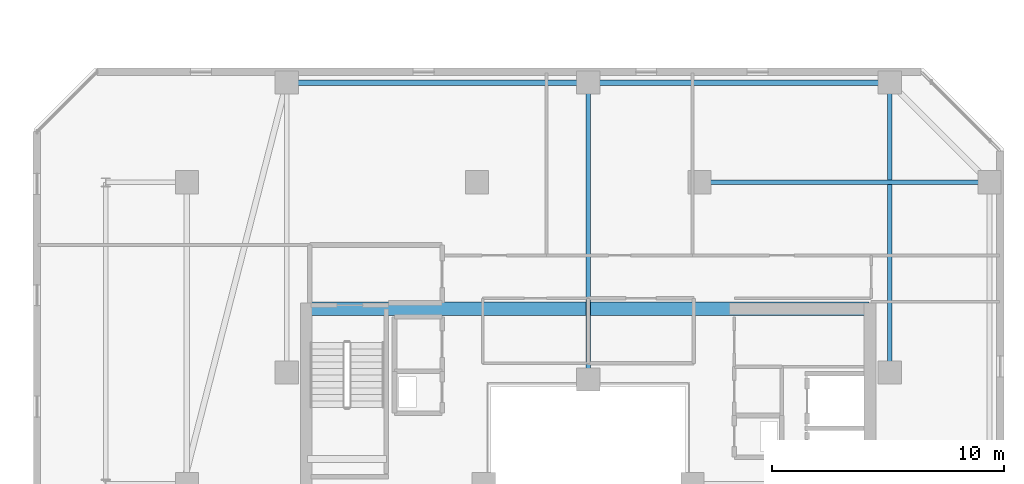
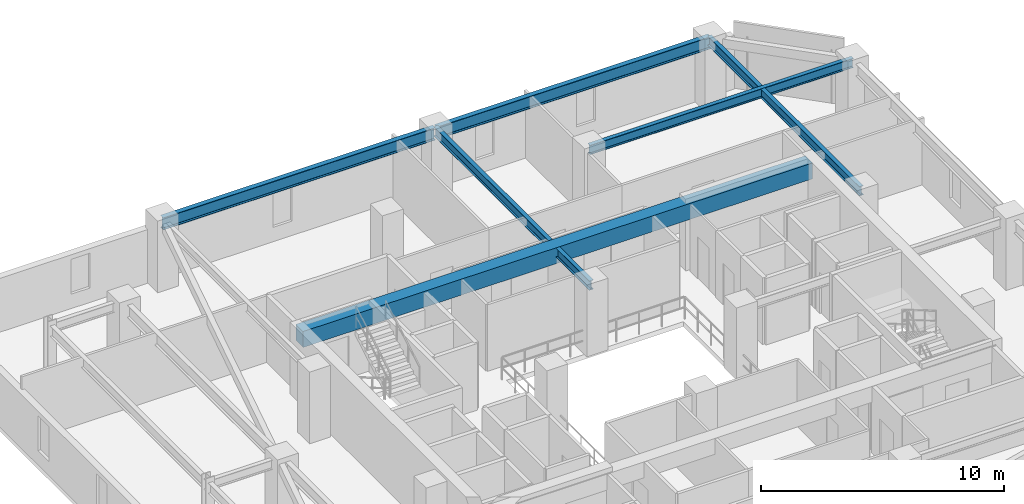
# One storey, part 16 of 33: 6 beams.
"""IFC4 building model written with IfcOpenShell, lengths in metres."""

from ifc_helpers import new_model, si_unit, direction, frame, origin, origin_2d, place, context, subcontext, project, spatial, rectangle, i_section, extrude, material, material_profile, profile_set, type_object, element, save


model = new_model("IFC4")

# Units and contexts
model_context = context("Model", 3, precision=1e-05, world=origin(), true_north=direction((0.0, 1.0)))
body_context = subcontext(model_context, "Body", "Model", "MODEL_VIEW")
ifc_project = project(units=[si_unit("LENGTHUNIT", "METRE"), si_unit("AREAUNIT", "SQUARE_METRE"), si_unit("VOLUMEUNIT", "CUBIC_METRE"), si_unit("PLANEANGLEUNIT", "RADIAN"), si_unit("MASSUNIT", "GRAM", prefix="KILO")], contexts=[model_context])

# Site, building, storey
site_placement = place(None, origin())
site = spatial("IfcSite", under=ifc_project, at=site_placement, CompositionType="ELEMENT")
building_placement = place(site_placement, origin())
building = spatial("IfcBuilding", under=site, at=building_placement, Name="Thornwick Lancets Civic Towers", CompositionType="ELEMENT")
storey_placement = place(building_placement, frame((0.0, 0.0, 210.89990234375)))
storey = spatial("IfcBuildingStorey", under=building, at=storey_placement, Name="L56", CompositionType="ELEMENT", Elevation=210.89990234375)

# Beams
ifc_material_1 = material(Name="Concrete C60/75", Category="concrete")
ifc_material_profile_1 = material_profile(ifc_material_1, rectangle(XDim=0.60009765625, YDim=0.800048828125, at=origin_2d()), Name="RC 600x800")
ifc_profile_set_1 = profile_set([ifc_material_profile_1], Name="Concrete C60/75")
beam_type_1 = type_object("IfcBeamType", Name="BM_COUP_RC800", PredefinedType="BEAM", material=ifc_profile_set_1)
beam_1_placement = place(storey_placement, frame((76.39990234375, 34.550048828125, 2.960205078125), z_axis=(1.0, 0.0, 0.0), x_axis=(0.0, 1.0, 0.0)))
element("IfcBeam", 1, at=beam_1_placement, inside=storey, type_object=beam_type_1, Name="CB-L56-B1", PredefinedType="BEAM", context=body_context, shape_type="SweptSolid", body=[
    extrude(rectangle(XDim=0.60009765625, YDim=0.800048828125, at=origin_2d()), origin(), (0.0, 0.0, 1.0), 24.2001953125),
])
ifc_material_2 = material(Name="Steel S355JR", Category="steel")
ifc_material_profile_2 = material_profile(ifc_material_2, i_section(OverallWidth=0.230224609375, OverallDepth=0.6171875, WebThickness=0.01318359375, FlangeThickness=0.022216796875, FilletRadius=0.0126953125, at=origin_2d()), Name="UKB 610x229x140")
ifc_profile_set_2 = profile_set([ifc_material_profile_2], Name="Steel S355JR")
beam_type_2 = type_object("IfcBeamType", Name="BM_GIRD_610_140", PredefinedType="BEAM", material=ifc_profile_set_2)
beam_2_placement = place(storey_placement, frame((101.5, 44.300048828125, 3.051513671875), z_axis=(-1.0, 0.0, 0.0), x_axis=(0.0, -1.0, 0.0)))
element("IfcBeam", 2, at=beam_2_placement, inside=storey, type_object=beam_type_2, Name="BM-SPINE-L56-B-3-4", PredefinedType="BEAM", context=body_context, shape_type="SweptSolid", body=[
    extrude(i_section(OverallWidth=0.230224609375, OverallDepth=0.6171875, WebThickness=0.01318359375, FlangeThickness=0.022216796875, FilletRadius=0.0126953125, at=origin_2d()), origin(), (0.0, 0.0, 1.0), 13.0),
])
beam_3_placement = place(storey_placement, frame((88.419921875, 44.300048828125, 3.051513671875), z_axis=(-1.0, 0.0, 0.0), x_axis=(0.0, -1.0, 0.0)))
element("IfcBeam", 3, at=beam_3_placement, inside=storey, type_object=beam_type_2, Name="BM-SPINE-L56-B-4-5", PredefinedType="BEAM", context=body_context, shape_type="SweptSolid", body=[
    extrude(i_section(OverallWidth=0.230224609375, OverallDepth=0.6171875, WebThickness=0.01318359375, FlangeThickness=0.022216796875, FilletRadius=0.0126953125, at=origin_2d()), origin(), (0.0, 0.0, 1.0), 12.919921875),
])
ifc_material_profile_3 = material_profile(ifc_material_2, i_section(OverallWidth=0.19287109375, OverallDepth=0.46728515625, WebThickness=0.011474609375, FlangeThickness=0.01953125, FilletRadius=0.01025390625, at=origin_2d()), Name="UKB 457x191x98")
ifc_profile_set_3 = profile_set([ifc_material_profile_3], Name="Steel S355JR")
beam_type_3 = type_object("IfcBeamType", Name="BM_JOIST_457_98", PredefinedType="JOIST", material=ifc_profile_set_3)
for number, where, z_axis, x_axis, name in (
    (4, (93.300048828125, 40.0, 3.12646484375), (1.0, 0.0, 0.0), (0.0, 1.0, 0.0), "BM-RADIN-L56-B03"),
    (5, (101.5, 31.800048828125, 3.12646484375), (0.0, 1.0, 0.0), (-1.0, 0.0, 0.0), "BM-RADIN-L56-B04"),
):
    element("IfcBeam", number, at=place(storey_placement, frame(where, z_axis=z_axis, x_axis=x_axis)), inside=storey, type_object=beam_type_3, Name=name, PredefinedType="JOIST", context=body_context, shape_type="SweptSolid", body=[
        extrude(i_section(OverallWidth=0.19287109375, OverallDepth=0.46728515625, WebThickness=0.011474609375, FlangeThickness=0.01953125, FilletRadius=0.01025390625, at=origin_2d()), origin(), (0.0, 0.0, 1.0), 12.5),
    ])
beam_4_placement = place(storey_placement, frame((88.5, 31.5, 3.12646484375), z_axis=(0.0, 1.0, 0.0), x_axis=(-1.0, 0.0, 0.0)))
element("IfcBeam", 6, at=beam_4_placement, inside=storey, type_object=beam_type_3, Name="BM-RADIN-L56-B05", PredefinedType="JOIST", context=body_context, shape_type="SweptSolid", body=[
    extrude(i_section(OverallWidth=0.19287109375, OverallDepth=0.46728515625, WebThickness=0.011474609375, FlangeThickness=0.01953125, FilletRadius=0.01025390625, at=origin_2d()), origin(), (0.0, 0.0, 1.0), 12.800048828125),
])

save(model, "model.ifc")
